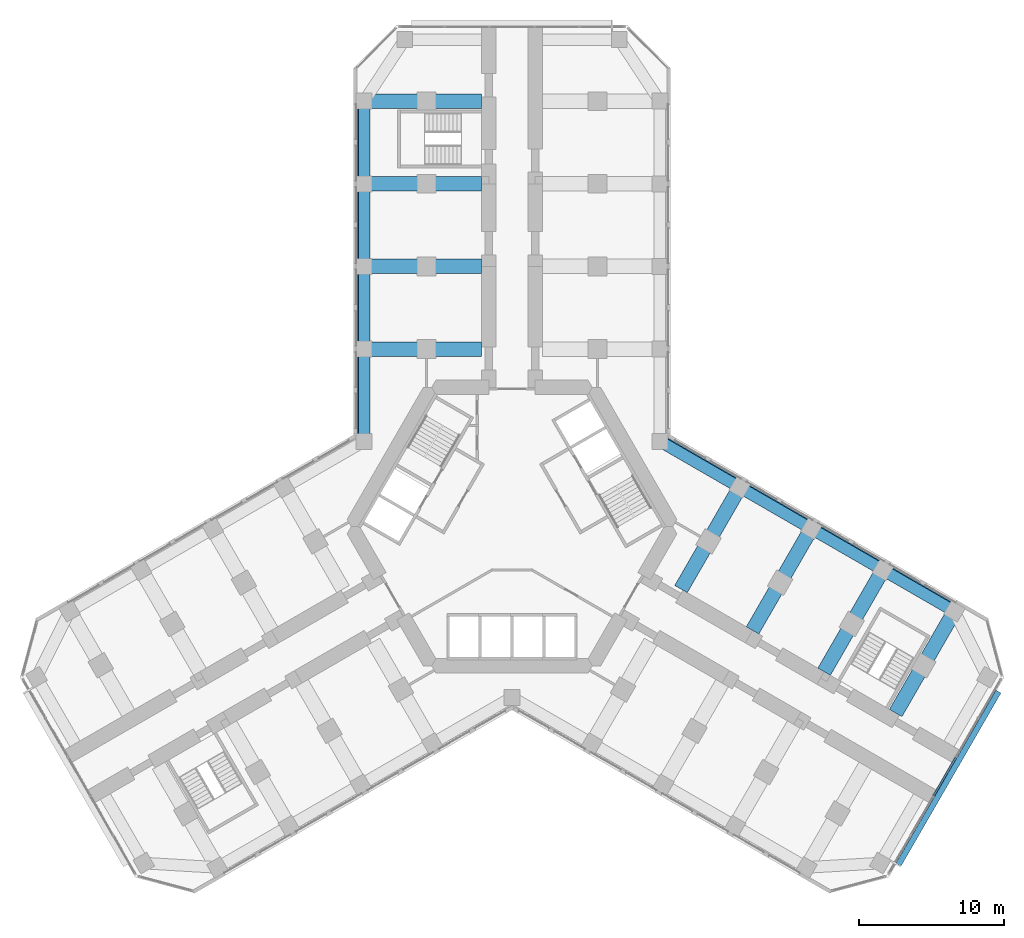
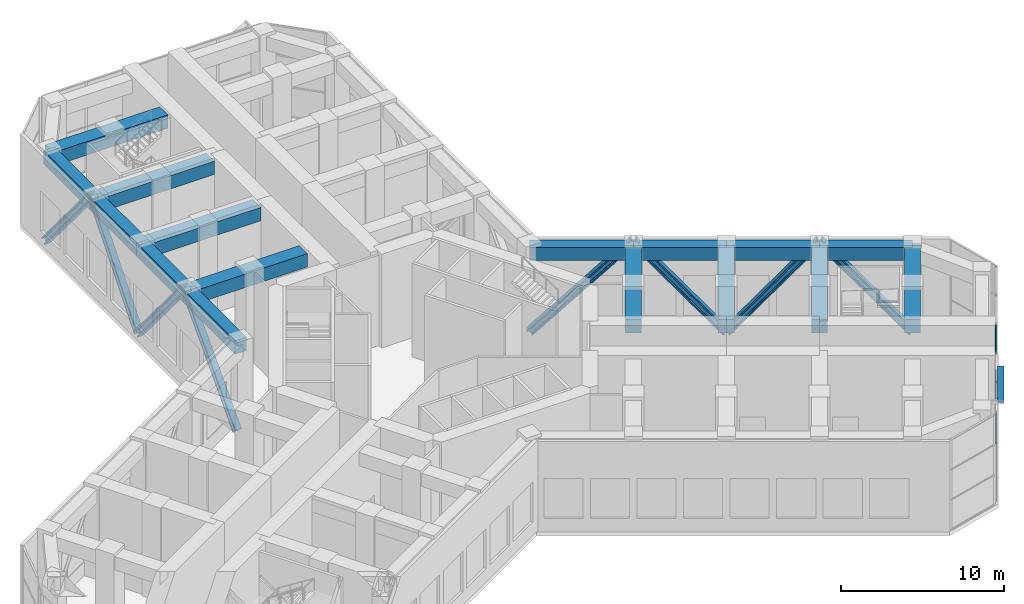
# One storey, part 6 of 17: 16 beams, 12 members, 1 element without a shape of its own.
"""IFC4 building model written with IfcOpenShell, lengths in metres."""

from ifc_helpers import new_model, si_unit, direction, frame, origin, origin_2d, place, context, subcontext, project, spatial, rectangle, i_section, extrude, material, material_profile, profile_set, type_object, element, aggregate, save


model = new_model("IFC4")

# Units and contexts
model_context = context("Model", 3, precision=1e-05, world=origin(), true_north=direction((0.0, 1.0)))
body_context = subcontext(model_context, "Body", "Model", "MODEL_VIEW")
ifc_project = project(units=[si_unit("LENGTHUNIT", "METRE"), si_unit("AREAUNIT", "SQUARE_METRE"), si_unit("VOLUMEUNIT", "CUBIC_METRE"), si_unit("PLANEANGLEUNIT", "RADIAN"), si_unit("MASSUNIT", "GRAM", prefix="KILO")], contexts=[model_context])

# Site, building, storey
site_placement = place(None, origin())
site = spatial("IfcSite", under=ifc_project, at=site_placement, CompositionType="ELEMENT")
building_placement = place(site_placement, origin())
building = spatial("IfcBuilding", under=site, at=building_placement, Name="Kosmar Iwan School Tower", CompositionType="ELEMENT")
storey_placement = place(building_placement, frame((0.0, 0.0, 32.39990234375)))
storey = spatial("IfcBuildingStorey", under=building, at=storey_placement, Name="L07", CompositionType="ELEMENT", Elevation=32.39990234375)

# Members
ifc_material_1 = material(Name="Steel S355", Category="steel")
ifc_material_profile_1 = material_profile(ifc_material_1, i_section(OverallWidth=0.431884765625, OverallDepth=0.498046875, WebThickness=0.0556640625, FlangeThickness=0.0888671875, FilletRadius=0.014892578125, at=origin_2d()), Name="HD 400x744")
ifc_profile_set_1 = profile_set([ifc_material_profile_1], Name="Steel S355")
member_type_1 = type_object("IfcMemberType", Name="Belt truss diagonal HD 400x744", PredefinedType="BRACE", material=ifc_profile_set_1)
member_1_placement = place(storey_placement, frame((-10.4541015625, 5.888916015625, 0.0), z_axis=(0.0, 0.682332246277, 0.731042205136), x_axis=(-1.0, 0.0, 0.0)))
element("IfcMember", 1, at=member_1_placement, inside=storey, type_object=member_type_1, Name="Belt truss diagonal AL1", PredefinedType="BRACE", context=body_context, shape_type="SweptSolid", body=[
    extrude(i_section(OverallWidth=0.431884765625, OverallDepth=0.498046875, WebThickness=0.0556640625, FlangeThickness=0.0888671875, FilletRadius=0.014892578125, at=origin_2d()), origin(), (0.0, 0.0, 1.0), 9.322509765625),
])
for number, where, z_axis, x_axis, name in (
    (2, (-10.4541015625, 12.25, 6.815185546875), (0.0, 0.641553730592, -0.76707809952), (-1.0, 0.0, 0.0), "Belt truss diagonal AL2"),
    (3, (-10.4541015625, 17.949951171875, 0.0), (0.0, 0.641553730592, 0.76707809952), (-1.0, 0.0, 0.0), "Belt truss diagonal AL3"),
):
    element("IfcMember", number, at=place(storey_placement, frame(where, z_axis=z_axis, x_axis=x_axis)), inside=storey, type_object=member_type_1, Name=name, PredefinedType="BRACE", context=body_context, shape_type="SweptSolid", body=[
        extrude(i_section(OverallWidth=0.431884765625, OverallDepth=0.498046875, WebThickness=0.0556640625, FlangeThickness=0.0888671875, FilletRadius=0.014892578125, at=origin_2d()), origin(), (0.0, 0.0, 1.0), 8.884521484375),
    ])
member_2_placement = place(storey_placement, frame((-10.4541015625, 23.64990234375, 6.815185546875), z_axis=(0.0, 0.641569899089, -0.76706457654), x_axis=(-1.0, 0.0, 0.0)))
element("IfcMember", 4, at=member_2_placement, inside=storey, type_object=member_type_1, Name="Belt truss diagonal AL4", PredefinedType="BRACE", context=body_context, shape_type="SweptSolid", body=[
    extrude(i_section(OverallWidth=0.431884765625, OverallDepth=0.498046875, WebThickness=0.0556640625, FlangeThickness=0.0888671875, FilletRadius=0.014892578125, at=origin_2d()), origin(), (0.0, 0.0, 1.0), 8.884765625),
])
member_3_placement = place(storey_placement, frame((10.326904296875, 6.10888671875, 0.0), z_axis=(0.59091472383, -0.341156094103, 0.731048773077), x_axis=(0.49999045822, 0.866030912664, 0.0)))
element("IfcMember", 5, at=member_3_placement, inside=storey, type_object=member_type_1, Name="Belt truss diagonal CL1", PredefinedType="BRACE", context=body_context, shape_type="SweptSolid", body=[
    extrude(i_section(OverallWidth=0.431884765625, OverallDepth=0.498046875, WebThickness=0.0556640625, FlangeThickness=0.0888671875, FilletRadius=0.014892578125, at=origin_2d()), origin(), (0.0, 0.0, 1.0), 9.322509765625),
])
member_4_placement = place(storey_placement, frame((15.835693359375, 2.928466796875, 6.815185546875), z_axis=(0.555616569323, -0.320784759163, -0.767064121298), x_axis=(0.499999279071, 0.866025820012, 0.0)))
element("IfcMember", 6, at=member_4_placement, inside=storey, type_object=member_type_1, Name="Belt truss diagonal CL2", PredefinedType="BRACE", context=body_context, shape_type="SweptSolid", body=[
    extrude(i_section(OverallWidth=0.431884765625, OverallDepth=0.498046875, WebThickness=0.0556640625, FlangeThickness=0.0888671875, FilletRadius=0.014892578125, at=origin_2d()), origin(), (0.0, 0.0, 1.0), 8.884765625),
])
for number, where, z_axis, x_axis, name in (
    (7, (20.772216796875, 0.078369140625, 0.0), (0.555602470658, -0.320765005193, 0.767082594016), (0.49998570155, 0.866033658841, 0.0), "Belt truss diagonal CL3"),
    (8, (25.70849609375, -2.771484375, 6.815185546875), (0.555597573225, -0.32078965675, -0.767075832463), (0.50001782563, 0.866015111908, 0.0), "Belt truss diagonal CL4"),
):
    element("IfcMember", number, at=place(storey_placement, frame(where, z_axis=z_axis, x_axis=x_axis)), inside=storey, type_object=member_type_1, Name=name, PredefinedType="BRACE", context=body_context, shape_type="SweptSolid", body=[
        extrude(i_section(OverallWidth=0.431884765625, OverallDepth=0.498046875, WebThickness=0.0556640625, FlangeThickness=0.0888671875, FilletRadius=0.014892578125, at=origin_2d()), origin(), (0.0, 0.0, 1.0), 8.884521484375),
    ])

# Beams
ifc_material_2 = material(Name="Concrete C50/60", Category="concrete")
ifc_material_profile_2 = material_profile(ifc_material_2, rectangle(XDim=0.800048828125, YDim=1.0, at=origin_2d()), Name="RC 800x1000 + HD 400x634")
ifc_profile_set_2 = profile_set([ifc_material_profile_2], Name="Concrete C50/60")
beam_type_1 = type_object("IfcBeamType", Name="Composite edge beam 800x1000 HD 400x634", PredefinedType="BEAM", material=ifc_profile_set_2)
beam_1_placement = place(storey_placement, frame((-10.199951171875, 5.888916015625, 6.25), z_axis=(0.0, 1.0, 0.0), x_axis=(-1.0, 0.0, 0.0)))
element("IfcBeam", 9, at=beam_1_placement, inside=storey, type_object=beam_type_1, Name="Edge beam AL1", PredefinedType="BEAM", context=body_context, shape_type="SweptSolid", body=[
    extrude(rectangle(XDim=0.800048828125, YDim=1.0, at=origin_2d()), origin(), (0.0, 0.0, 1.0), 6.361083984375),
])
for number, where, z_axis, x_axis, name in (
    (10, (-10.199951171875, 12.25, 6.25), (0.0, 1.0, 0.0), (-1.0, 0.0, 0.0), "Edge beam AL2"),
    (11, (-10.199951171875, 17.949951171875, 6.25), (0.0, 1.0, 0.0), (-1.0, 0.0, 0.0), "Edge beam AL3"),
):
    element("IfcBeam", number, at=place(storey_placement, frame(where, z_axis=z_axis, x_axis=x_axis)), inside=storey, type_object=beam_type_1, Name=name, PredefinedType="BEAM", context=body_context, shape_type="SweptSolid", body=[
        extrude(rectangle(XDim=0.800048828125, YDim=1.0, at=origin_2d()), origin(), (0.0, 0.0, 1.0), 5.699951171875),
    ])
beam_2_placement = place(storey_placement, frame((-10.199951171875, 23.64990234375, 6.25), z_axis=(0.0, 1.0, 0.0), x_axis=(-1.0, 0.0, 0.0)))
element("IfcBeam", 12, at=beam_2_placement, inside=storey, type_object=beam_type_1, Name="Edge beam AL4", PredefinedType="BEAM", context=body_context, shape_type="SweptSolid", body=[
    extrude(rectangle(XDim=0.800048828125, YDim=1.0, at=origin_2d()), origin(), (0.0, 0.0, 1.0), 5.7001953125),
])
beam_3_placement = place(storey_placement, frame((10.199951171875, 5.888916015625, 6.25), z_axis=(0.866030912664, -0.49999045822, 0.0), x_axis=(0.49999045822, 0.866030912664, 0.0)))
element("IfcBeam", 13, at=beam_3_placement, inside=storey, type_object=beam_type_1, Name="Edge beam CL1", PredefinedType="BEAM", context=body_context, shape_type="SweptSolid", body=[
    extrude(rectangle(XDim=0.800048828125, YDim=1.0, at=origin_2d()), origin(), (0.0, 0.0, 1.0), 6.36083984375),
])
beam_4_placement = place(storey_placement, frame((15.708740234375, 2.70849609375, 6.25), z_axis=(0.866025820012, -0.499999279071, 0.0), x_axis=(0.499999279071, 0.866025820012, 0.0)))
element("IfcBeam", 14, at=beam_4_placement, inside=storey, type_object=beam_type_1, Name="Edge beam CL2", PredefinedType="BEAM", context=body_context, shape_type="SweptSolid", body=[
    extrude(rectangle(XDim=0.800048828125, YDim=1.0, at=origin_2d()), origin(), (0.0, 0.0, 1.0), 5.7001953125),
])
for number, where, z_axis, x_axis, name in (
    (15, (20.645263671875, -0.1416015625, 6.25), (0.866033658841, -0.49998570155, 0.0), (0.49998570155, 0.866033658841, 0.0), "Edge beam CL3"),
    (16, (25.58154296875, -2.991455078125, 6.25), (0.866015111908, -0.50001782563, 0.0), (0.50001782563, 0.866015111908, 0.0), "Edge beam CL4"),
):
    element("IfcBeam", number, at=place(storey_placement, frame(where, z_axis=z_axis, x_axis=x_axis)), inside=storey, type_object=beam_type_1, Name=name, PredefinedType="BEAM", context=body_context, shape_type="SweptSolid", body=[
        extrude(rectangle(XDim=0.800048828125, YDim=1.0, at=origin_2d()), origin(), (0.0, 0.0, 1.0), 5.699951171875),
    ])
ifc_material_3 = material(Name="Concrete C50/60", Category="concrete")
ifc_material_profile_3 = material_profile(ifc_material_3, rectangle(XDim=1.0, YDim=1.0, at=origin_2d()), Name="RC 1000x1000 + HD 400x347")
ifc_profile_set_3 = profile_set([ifc_material_profile_3], Name="Concrete C50/60")
beam_type_2 = type_object("IfcBeamType", Name="Composite transverse beam 1000x1000 HD 400x347", PredefinedType="BEAM", material=ifc_profile_set_3)
for number, where, z_axis, x_axis, name in (
    (17, (-10.199951171875, 12.25, 6.25), (1.0, 0.0, 0.0), (0.0, 1.0, 0.0), "Transverse beam AL1"),
    (18, (-10.199951171875, 17.949951171875, 6.25), (1.0, 0.0, 0.0), (0.0, 1.0, 0.0), "Transverse beam AL2"),
    (19, (-10.199951171875, 23.64990234375, 6.25), (1.0, 0.0, 0.0), (0.0, 1.0, 0.0), "Transverse beam AL3"),
    (20, (-10.199951171875, 29.35009765625, 6.25), (1.0, 0.0, 0.0), (0.0, 1.0, 0.0), "Transverse beam AL4"),
):
    element("IfcBeam", number, at=place(storey_placement, frame(where, z_axis=z_axis, x_axis=x_axis)), inside=storey, type_object=beam_type_2, Name=name, PredefinedType="BEAM", context=body_context, shape_type="SweptSolid", body=[
        extrude(rectangle(XDim=1.0, YDim=1.0, at=origin_2d()), origin(), (0.0, 0.0, 1.0), 8.099853515625),
    ])
beam_5_placement = place(storey_placement, frame((15.708740234375, 2.70849609375, 6.25), z_axis=(-0.499999880539, -0.866025472755, 0.0), x_axis=(0.866025472755, -0.499999880539, 0.0)))
element("IfcBeam", 21, at=beam_5_placement, inside=storey, type_object=beam_type_2, Name="Transverse beam CL1", PredefinedType="BEAM", context=body_context, shape_type="SweptSolid", body=[
    extrude(rectangle(XDim=1.0, YDim=1.0, at=origin_2d()), origin(), (0.0, 0.0, 1.0), 8.10009765625),
])
beam_6_placement = place(storey_placement, frame((20.645263671875, -0.1416015625, 6.25), z_axis=(-0.500012932018, -0.866017937352, 0.0), x_axis=(0.866017937352, -0.500012932018, 0.0)))
element("IfcBeam", 22, at=beam_6_placement, inside=storey, type_object=beam_type_2, Name="Transverse beam CL2", PredefinedType="BEAM", context=body_context, shape_type="SweptSolid", body=[
    extrude(rectangle(XDim=1.0, YDim=1.0, at=origin_2d()), origin(), (0.0, 0.0, 1.0), 8.099853515625),
])
for number, where, z_axis, x_axis, name in (
    (23, (25.58154296875, -2.991455078125, 6.25), (-0.499999880539, -0.866025472755, 0.0), (0.866025472755, -0.499999880539, 0.0), "Transverse beam CL3"),
    (24, (30.517822265625, -5.841552734375, 6.25), (-0.499999880539, -0.866025472755, 0.0), (0.866025472755, -0.499999880539, 0.0), "Transverse beam CL4"),
):
    element("IfcBeam", number, at=place(storey_placement, frame(where, z_axis=z_axis, x_axis=x_axis)), inside=storey, type_object=beam_type_2, Name=name, PredefinedType="BEAM", context=body_context, shape_type="SweptSolid", body=[
        extrude(rectangle(XDim=1.0, YDim=1.0, at=origin_2d()), origin(), (0.0, 0.0, 1.0), 8.10009765625),
    ])

# Member
ifc_material_4 = material(Name="Black anodised aluminium", Category="aluminium")
ifc_material_profile_4 = material_profile(ifc_material_4, rectangle(XDim=0.10009765625, YDim=0.39990234375, at=origin_2d()), Name="FIN 100x400")
ifc_profile_set_4 = profile_set([ifc_material_profile_4], Name="Black anodised aluminium")
member_type_2 = type_object("IfcMemberType", Name="Diagonal fin 100x400", PredefinedType="USERDEFINED", material=ifc_profile_set_4)
member_5_placement = place(storey_placement, frame((33.54345703125, -11.40087890625, -0.14990234375), z_axis=(-0.445884805648, -0.772309410313, 0.452465374183), x_axis=(0.226229551412, 0.391848318744, 0.891781971765)))
element("IfcMember", 25, at=member_5_placement, inside=storey, type_object=member_type_2, Name="Diagonal fin L07-F03", ObjectType="FIN", PredefinedType="USERDEFINED", context=body_context, shape_type="SweptSolid", body=[
    extrude(rectangle(XDim=0.10009765625, YDim=0.39990234375, at=origin_2d()), origin(), (0.0, 0.0, 1.0), 15.470703125),
])

# Curtain wall, members
ifc_material_5 = material(Name="Black aluminium louvres and glass", Category="aluminium")
curtain_wall_type = type_object("IfcCurtainWallType", Name="Plant floor louvred curtain wall", PredefinedType="USERDEFINED", material=ifc_material_5)
curtain_wall_placement = place(storey_placement, origin())
curtain_wall = element("IfcCurtainWall", 26, at=curtain_wall_placement, inside=storey, type_object=curtain_wall_type, Name="Curtain wall L07-F03", ObjectType="LOUVRED CURTAIN WALL", PredefinedType="USERDEFINED")
ifc_material_6 = material(Name="Black anodised aluminium", Category="aluminium")
ifc_material_profile_5 = material_profile(ifc_material_6, rectangle(XDim=0.1201171875, YDim=0.06005859375, at=origin_2d()), Name="TRANSOM 60x120")
ifc_profile_set_5 = profile_set([ifc_material_profile_5], Name="Black anodised aluminium")
member_type_3 = type_object("IfcMemberType", Name="Transom 60x120", PredefinedType="USERDEFINED", material=ifc_profile_set_5)
member_6_placement = place(storey_placement, frame((29.096435546875, -18.553466796875, 0.030029296875), z_axis=(0.499975102327, 0.866039777986, 0.0), x_axis=(-0.866039777986, 0.499975102327, 0.0)))
member_6 = element("IfcMember", 27, at=member_6_placement, type_object=member_type_3, Name="CW4 transom 3.1", ObjectType="TRANSOM", PredefinedType="USERDEFINED", context=body_context, shape_type="SweptSolid", body=[
    extrude(rectangle(XDim=0.1201171875, YDim=0.06005859375, at=origin_2d()), origin(), (0.0, 0.0, 1.0), 3.039306640625),
])
member_7_placement = place(storey_placement, frame((29.096435546875, -18.553466796875, 3.375), z_axis=(0.499975102327, 0.866039777986, 0.0), x_axis=(-0.866039777986, 0.499975102327, 0.0)))
member_7 = element("IfcMember", 28, at=member_7_placement, type_object=member_type_3, Name="CW4 transom 3.2", ObjectType="TRANSOM", PredefinedType="USERDEFINED", context=body_context, shape_type="SweptSolid", body=[
    extrude(rectangle(XDim=0.1201171875, YDim=0.06005859375, at=origin_2d()), origin(), (0.0, 0.0, 1.0), 3.039306640625),
])
member_8_placement = place(storey_placement, frame((29.096435546875, -18.553466796875, 6.72021484375), z_axis=(0.499975102327, 0.866039777986, 0.0), x_axis=(-0.866039777986, 0.499975102327, 0.0)))
member_8 = element("IfcMember", 29, at=member_8_placement, type_object=member_type_3, Name="CW4 transom 3.3", ObjectType="TRANSOM", PredefinedType="USERDEFINED", context=body_context, shape_type="SweptSolid", body=[
    extrude(rectangle(XDim=0.1201171875, YDim=0.06005859375, at=origin_2d()), origin(), (0.0, 0.0, 1.0), 3.039306640625),
])
aggregate(curtain_wall, [member_6, member_7, member_8])

save(model, "model.ifc")
